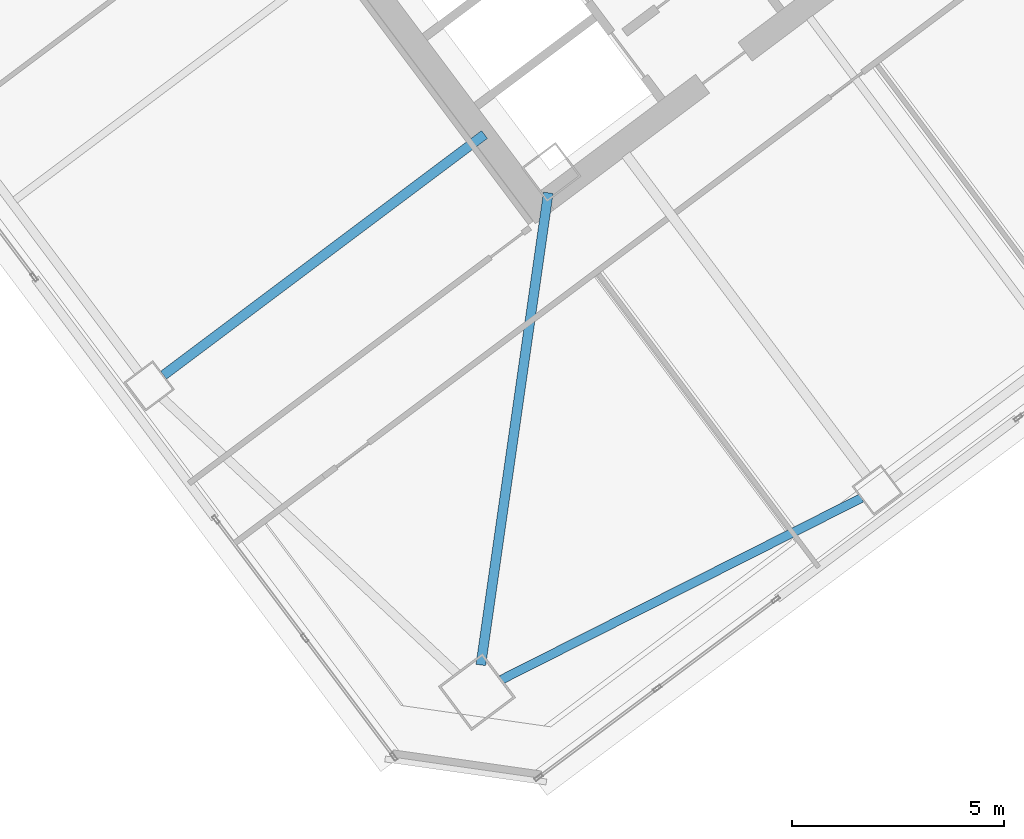
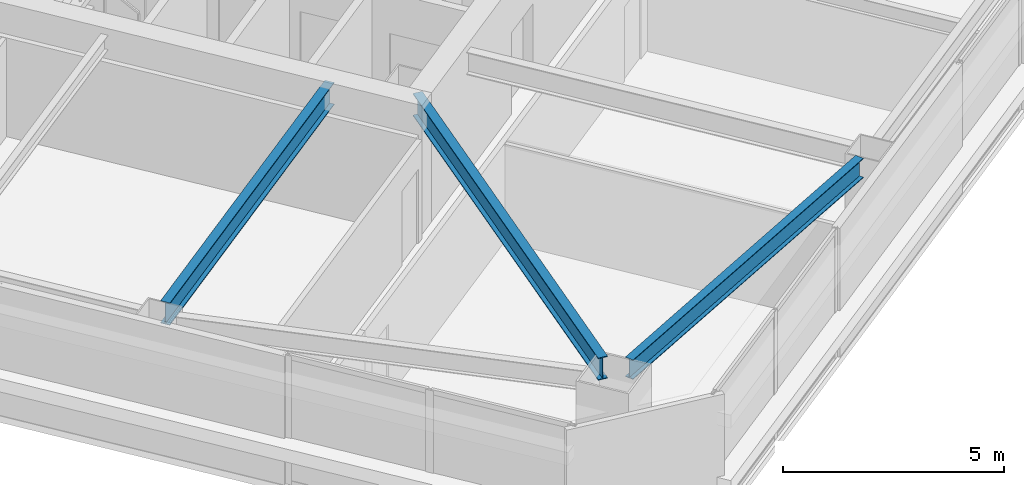
# One storey, part 19 of 44: 3 beams.
"""IFC4 building model written with IfcOpenShell, lengths in metres."""

from ifc_helpers import new_model, si_unit, direction, frame, origin, origin_2d, place, context, subcontext, project, spatial, i_section, extrude, material, material_profile, profile_set, type_object, element, save


model = new_model("IFC4")

# Units and contexts
model_context = context("Model", 3, precision=1e-05, world=origin(), true_north=direction((0.0, 1.0)))
body_context = subcontext(model_context, "Body", "Model", "MODEL_VIEW")
ifc_project = project(units=[si_unit("LENGTHUNIT", "METRE"), si_unit("AREAUNIT", "SQUARE_METRE"), si_unit("VOLUMEUNIT", "CUBIC_METRE"), si_unit("PLANEANGLEUNIT", "RADIAN"), si_unit("MASSUNIT", "GRAM", prefix="KILO")], contexts=[model_context])

# Site, building, storey
site_placement = place(None, origin())
site = spatial("IfcSite", under=ifc_project, at=site_placement, CompositionType="ELEMENT")
building_placement = place(site_placement, origin())
building = spatial("IfcBuilding", under=site, at=building_placement, Name="Tashvorn Skyway Center", CompositionType="ELEMENT")
storey_placement = place(building_placement, frame((0.0, 0.0, 128.60009765625)))
storey = spatial("IfcBuildingStorey", under=building, at=storey_placement, Name="L34", CompositionType="ELEMENT", Elevation=128.60009765625)

# Beams
ifc_material = material(Name="Steel ASTM A992 Grade 50", Category="steel")
ifc_material_profile_1 = material_profile(ifc_material, i_section(OverallWidth=0.22998046875, OverallDepth=0.616943359375, WebThickness=0.01318359375, FlangeThickness=0.022216796875, at=origin_2d()), Name="W24X94")
ifc_profile_set_1 = profile_set([ifc_material_profile_1], Name="Steel ASTM A992 Grade 50")
beam_type_1 = type_object("IfcBeamType", Name="BM-BEAM-W24X94", PredefinedType="BEAM", material=ifc_profile_set_1)
beam_1_placement = place(storey_placement, frame((110.93115234375, 10.5185546875, 3.0615234375), z_axis=(0.141430483583, 0.989948189712, 0.0), x_axis=(-0.989948189712, 0.141430483583, 0.0)))
element("IfcBeam", 1, at=beam_1_placement, inside=storey, type_object=beam_type_1, Name="Tower 2 L34 Primary Floor Girder MC-SW", PredefinedType="BEAM", context=body_context, shape_type="SweptSolid", body=[
    extrude(i_section(OverallWidth=0.22998046875, OverallDepth=0.616943359375, WebThickness=0.01318359375, FlangeThickness=0.022216796875, at=origin_2d()), origin(), (0.0, 0.0, 1.0), 11.234375),
])
beam_2_placement = place(storey_placement, frame((103.4560546875, 17.342041015625, 3.0615234375), z_axis=(0.800006200354, 0.599991732772, 0.0), x_axis=(-0.599991732772, 0.800006200354, 0.0)))
element("IfcBeam", 2, at=beam_2_placement, inside=storey, type_object=beam_type_1, Name="Tower 2 L34 Primary Floor Girder FC-W2", PredefinedType="BEAM", context=body_context, shape_type="SweptSolid", body=[
    extrude(i_section(OverallWidth=0.22998046875, OverallDepth=0.616943359375, WebThickness=0.01318359375, FlangeThickness=0.022216796875, at=origin_2d()), origin(), (0.0, 0.0, 1.0), 9.449951171875),
])
ifc_material_profile_2 = material_profile(ifc_material, i_section(OverallWidth=0.2109375, OverallDepth=0.5390625, WebThickness=0.01171875, FlangeThickness=0.018798828125, at=origin_2d()), Name="W21X73")
ifc_profile_set_2 = profile_set([ifc_material_profile_2], Name="Steel ASTM A992 Grade 50")
beam_type_2 = type_object("IfcBeamType", Name="BM-SPANDREL-W21X73", PredefinedType="SPANDREL", material=ifc_profile_set_2)
beam_3_placement = place(storey_placement, frame((111.415771484375, 10.170654296875, 3.100341796875), z_axis=(0.892719124217, 0.450613543136, 0.0), x_axis=(-0.450613543136, 0.892719124217, 0.0)))
element("IfcBeam", 3, at=beam_3_placement, inside=storey, type_object=beam_type_2, Name="Tower 2 L34 Spandrel Beam 01", PredefinedType="SPANDREL", context=body_context, shape_type="SweptSolid", body=[
    extrude(i_section(OverallWidth=0.2109375, OverallDepth=0.5390625, WebThickness=0.01171875, FlangeThickness=0.018798828125, at=origin_2d()), origin(), (0.0, 0.0, 1.0), 9.498291015625),
])

save(model, "model.ifc")
